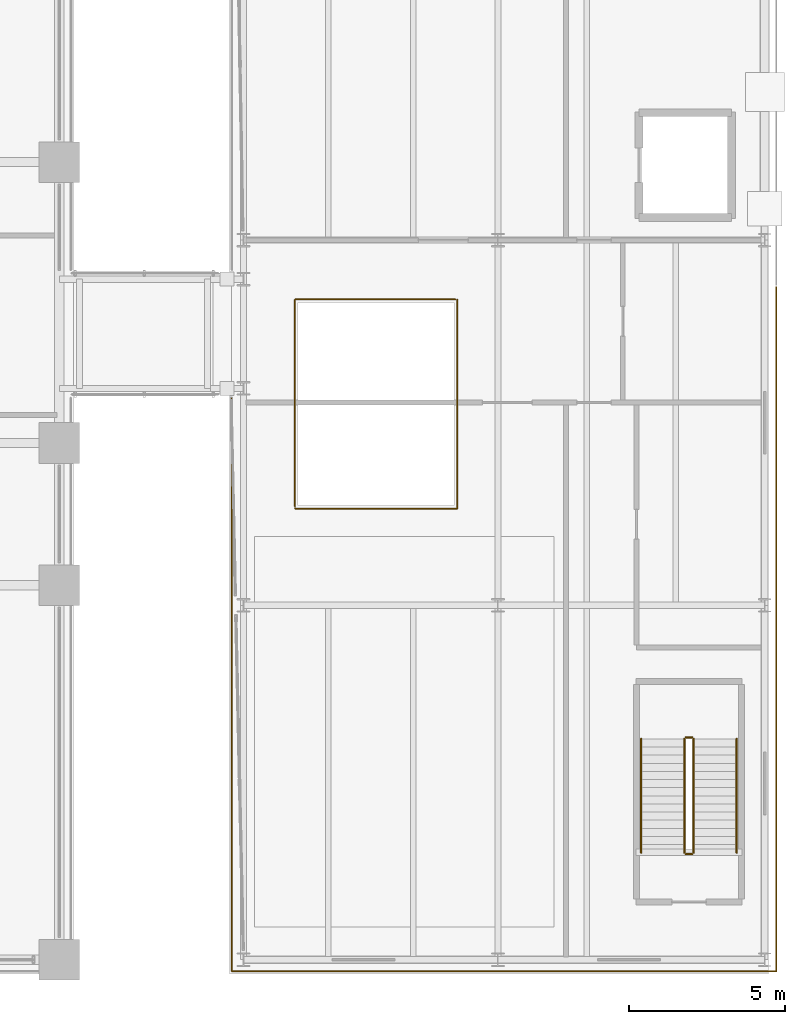
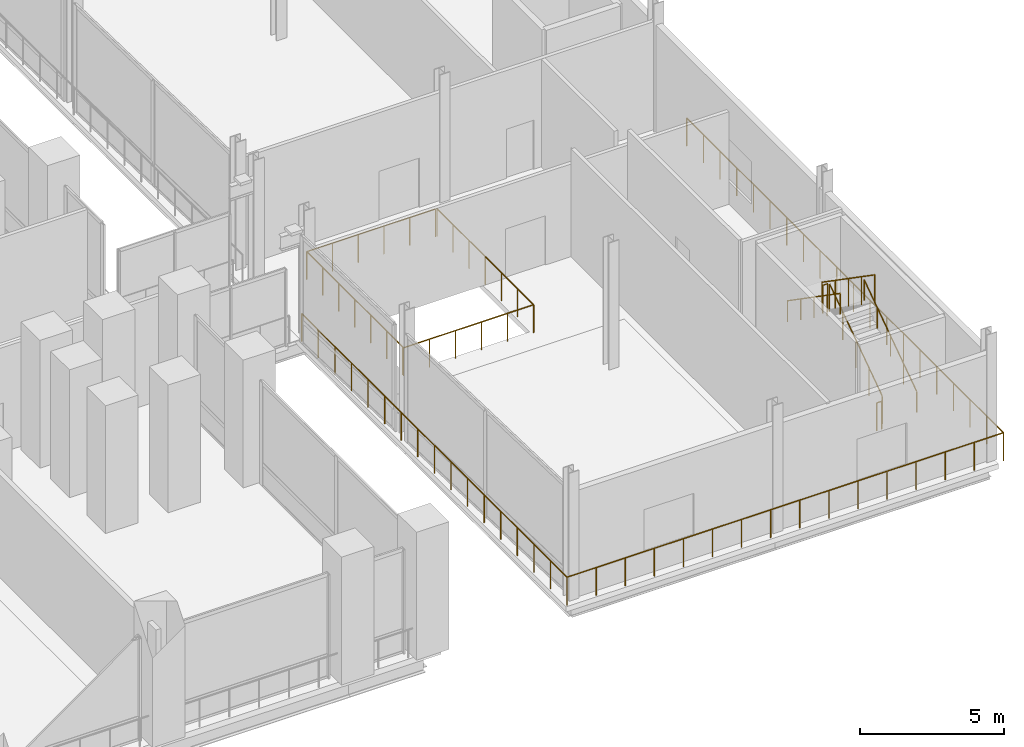
# One storey, part 30 of 31: 9 railings.
"""IFC4 building model written with IfcOpenShell, lengths in metres."""

from ifc_helpers import new_model, si_unit, direction, frame, origin, origin_2d, place, context, subcontext, project, spatial, circle, extrude, material, layer, layer_set, type_object, element, save


model = new_model("IFC4")

# Units and contexts
model_context = context("Model", 3, precision=1e-05, world=origin(), true_north=direction((0.0, 1.0)))
body_context = subcontext(model_context, "Body", "Model", "MODEL_VIEW")
ifc_project = project(units=[si_unit("LENGTHUNIT", "METRE"), si_unit("AREAUNIT", "SQUARE_METRE"), si_unit("VOLUMEUNIT", "CUBIC_METRE"), si_unit("PLANEANGLEUNIT", "RADIAN"), si_unit("MASSUNIT", "GRAM", prefix="KILO")], contexts=[model_context])

# Site, building, storey
site_placement = place(None, origin())
site = spatial("IfcSite", under=ifc_project, at=site_placement, CompositionType="ELEMENT")
building_placement = place(site_placement, origin())
building = spatial("IfcBuilding", under=site, at=building_placement, Name="Noeulbin Bourse Tower", CompositionType="ELEMENT")
storey_placement = place(building_placement, frame((0.0, 0.0, 11.199951171875)))
storey = spatial("IfcBuildingStorey", under=building, at=storey_placement, Name="L03", CompositionType="ELEMENT", Elevation=11.199951171875)

# Railings
ifc_material_1 = material(Name="Painted Tubular Steel S355", Category="steel")
ifc_layer_1 = layer(ifc_material_1, 0.048095703125)
ifc_layer_set_1 = layer_set([ifc_layer_1], Name="Painted Tubular Steel S355")
railing_type_1 = type_object("IfcRailingType", Name="RLG-STR-GRD", PredefinedType="GUARDRAIL", material=ifc_layer_set_1)
railing_1_placement = place(storey_placement, frame((74.8701171875, 6.8798828125, 0.179931640625)))
element("IfcRailing", 1, at=railing_1_placement, inside=storey, type_object=railing_type_1, Name="L03 MST-1 stair guard 1", PredefinedType="GUARDRAIL", context=body_context, shape_type="SweptSolid", body=[
    extrude(circle(Radius=0.02392578125, at=origin_2d()), frame((0.0, 0.0, 1.17578125), z_axis=(0.0, 0.82220013233, 0.56919850878), x_axis=(-1.0, 0.0, 0.0)), (0.0, 0.0, 1.0), 4.42724609375),
    extrude(circle(Radius=0.02099609375, at=origin_2d()), origin(), (0.0, 0.0, 1.0), 1.15185546875),
    extrude(circle(Radius=0.02099609375, at=origin_2d()), frame((0.0, 0.91015625, 0.6298828125)), (0.0, 0.0, 1.0), 1.15185546875),
    extrude(circle(Radius=0.02099609375, at=origin_2d()), frame((0.0, 1.820068359375, 1.260009765625)), (0.0, 0.0, 1.0), 1.15185546875),
    extrude(circle(Radius=0.02099609375, at=origin_2d()), frame((0.0, 2.72998046875, 1.89013671875)), (0.0, 0.0, 1.0), 1.15185546875),
    extrude(circle(Radius=0.02099609375, at=origin_2d()), frame((0.0, 3.64013671875, 2.52001953125)), (0.0, 0.0, 1.0), 1.15185546875),
])
railing_2_placement = place(storey_placement, frame((74.820068359375, 10.570068359375, 2.699951171875)))
element("IfcRailing", 2, at=railing_2_placement, inside=storey, type_object=railing_type_1, Name="L03 MST-1 stair guard 2", PredefinedType="GUARDRAIL", context=body_context, shape_type="SweptSolid", body=[
    extrude(circle(Radius=0.02392578125, at=origin_2d()), frame((0.0, 0.0, 1.17578125), z_axis=(-1.0, 0.0, 0.0), x_axis=(0.0, -1.0, 0.0)), (0.0, 0.0, 1.0), 0.199951171875),
    extrude(circle(Radius=0.02099609375, at=origin_2d()), origin(), (0.0, 0.0, 1.0), 1.15185546875),
    extrude(circle(Radius=0.02099609375, at=origin_2d()), frame((-0.199951171875, 0.0, 0.0)), (0.0, 0.0, 1.0), 1.15185546875),
])
railing_3_placement = place(storey_placement, frame((74.570068359375, 10.52001953125, 2.880126953125)))
element("IfcRailing", 3, at=railing_3_placement, inside=storey, type_object=railing_type_1, Name="L03 MST-1 stair guard 3", PredefinedType="GUARDRAIL", context=body_context, shape_type="SweptSolid", body=[
    extrude(circle(Radius=0.02392578125, at=origin_2d()), frame((0.0, 0.0, 1.17578125), z_axis=(0.0, -0.82220013233, 0.56919850878), x_axis=(1.0, 0.0, 0.0)), (0.0, 0.0, 1.0), 4.42724609375),
    extrude(circle(Radius=0.02099609375, at=origin_2d()), origin(), (0.0, 0.0, 1.0), 1.15185546875),
    extrude(circle(Radius=0.02099609375, at=origin_2d()), frame((0.0, -0.91015625, 0.6298828125)), (0.0, 0.0, 1.0), 1.15185546875),
    extrude(circle(Radius=0.02099609375, at=origin_2d()), frame((0.0, -1.820068359375, 1.260009765625)), (0.0, 0.0, 1.0), 1.15185546875),
    extrude(circle(Radius=0.02099609375, at=origin_2d()), frame((0.0, -2.72998046875, 1.89013671875)), (0.0, 0.0, 1.0), 1.15185546875),
    extrude(circle(Radius=0.02099609375, at=origin_2d()), frame((0.0, -3.64013671875, 2.52001953125)), (0.0, 0.0, 1.0), 1.15185546875),
])
railing_4_placement = place(storey_placement, frame((74.820068359375, 6.830078125, 0.0)))
element("IfcRailing", 4, at=railing_4_placement, inside=storey, type_object=railing_type_1, Name="L03 MST-1 stair guard 4", PredefinedType="GUARDRAIL", context=body_context, shape_type="SweptSolid", body=[
    extrude(circle(Radius=0.02392578125, at=origin_2d()), frame((0.0, 0.0, 1.17578125), z_axis=(-1.0, 0.0, 0.0), x_axis=(0.0, -1.0, 0.0)), (0.0, 0.0, 1.0), 0.199951171875),
    extrude(circle(Radius=0.02099609375, at=origin_2d()), origin(), (0.0, 0.0, 1.0), 1.15185546875),
    extrude(circle(Radius=0.02099609375, at=origin_2d()), frame((-0.199951171875, 0.0, 0.0)), (0.0, 0.0, 1.0), 1.15185546875),
])
ifc_material_2 = material(Name="Brushed Stainless Steel 316", Category="steel")
ifc_layer_2 = layer(ifc_material_2, 0.048095703125)
ifc_layer_set_2 = layer_set([ifc_layer_2], Name="Brushed Stainless Steel 316")
railing_type_2 = type_object("IfcRailingType", Name="RLG-STR-HND", PredefinedType="HANDRAIL", material=ifc_layer_set_2)
railing_5_placement = place(storey_placement, frame((76.25, 6.8798828125, 0.179931640625)))
element("IfcRailing", 5, at=railing_5_placement, inside=storey, type_object=railing_type_2, Name="L03 MST-1 stair handrail 1", PredefinedType="HANDRAIL", context=body_context, shape_type="SweptSolid", body=[
    extrude(circle(Radius=0.02392578125, at=origin_2d()), frame((0.0, 0.0, 0.8759765625), z_axis=(0.0, 0.82220013233, 0.56919850878), x_axis=(-1.0, 0.0, 0.0)), (0.0, 0.0, 1.0), 4.42724609375),
    extrude(circle(Radius=0.02099609375, at=origin_2d()), origin(), (0.0, 0.0, 1.0), 0.851806640625),
    extrude(circle(Radius=0.02099609375, at=origin_2d()), frame((0.0, 0.91015625, 0.6298828125)), (0.0, 0.0, 1.0), 0.851806640625),
    extrude(circle(Radius=0.02099609375, at=origin_2d()), frame((0.0, 1.820068359375, 1.260009765625)), (0.0, 0.0, 1.0), 0.851806640625),
    extrude(circle(Radius=0.02099609375, at=origin_2d()), frame((0.0, 2.72998046875, 1.89013671875)), (0.0, 0.0, 1.0), 0.851806640625),
    extrude(circle(Radius=0.02099609375, at=origin_2d()), frame((0.0, 3.64013671875, 2.52001953125)), (0.0, 0.0, 1.0), 0.851806640625),
])
railing_6_placement = place(storey_placement, frame((73.18994140625, 10.52001953125, 2.880126953125)))
element("IfcRailing", 6, at=railing_6_placement, inside=storey, type_object=railing_type_2, Name="L03 MST-1 stair handrail 2", PredefinedType="HANDRAIL", context=body_context, shape_type="SweptSolid", body=[
    extrude(circle(Radius=0.02392578125, at=origin_2d()), frame((0.0, 0.0, 0.8759765625), z_axis=(0.0, -0.82220013233, 0.56919850878), x_axis=(1.0, 0.0, 0.0)), (0.0, 0.0, 1.0), 4.42724609375),
    extrude(circle(Radius=0.02099609375, at=origin_2d()), origin(), (0.0, 0.0, 1.0), 0.851806640625),
    extrude(circle(Radius=0.02099609375, at=origin_2d()), frame((0.0, -0.91015625, 0.6298828125)), (0.0, 0.0, 1.0), 0.851806640625),
    extrude(circle(Radius=0.02099609375, at=origin_2d()), frame((0.0, -1.820068359375, 1.260009765625)), (0.0, 0.0, 1.0), 0.851806640625),
    extrude(circle(Radius=0.02099609375, at=origin_2d()), frame((0.0, -2.72998046875, 1.89013671875)), (0.0, 0.0, 1.0), 0.851806640625),
    extrude(circle(Radius=0.02099609375, at=origin_2d()), frame((0.0, -3.64013671875, 2.52001953125)), (0.0, 0.0, 1.0), 0.851806640625),
])
ifc_material_3 = material(Name="Stainless Steel 316 Post and Rail", Category="steel")
ifc_layer_3 = layer(ifc_material_3, 0.06005859375)
ifc_layer_set_3 = layer_set([ifc_layer_3], Name="Stainless Steel 316 Post and Rail")
railing_type_3 = type_object("IfcRailingType", Name="RLG-TER-1200", PredefinedType="GUARDRAIL", material=ifc_layer_set_3)
railing_7_placement = place(storey_placement, frame((60.080078125, 21.449951171875, 0.0)))
element("IfcRailing", 7, at=railing_7_placement, inside=storey, type_object=railing_type_3, Name="Market Perimeter Edge Guard L03-1", PredefinedType="GUARDRAIL", context=body_context, shape_type="SweptSolid", body=[
    extrude(circle(Radius=0.02392578125, at=origin_2d()), frame((0.0, 0.0, 1.17578125), z_axis=(0.0, -1.0, 0.0), x_axis=(1.0, 0.0, 0.0)), (0.0, 0.0, 1.0), 18.369873046875),
    extrude(circle(Radius=0.02392578125, at=origin_2d()), frame((0.0, -18.369873046875, 1.17578125), z_axis=(1.0, 0.0, 0.0), x_axis=(0.0, 1.0, 0.0)), (0.0, 0.0, 1.0), 17.43994140625),
    extrude(circle(Radius=0.02392578125, at=origin_2d()), frame((17.43994140625, -18.369873046875, 1.17578125), z_axis=(0.0, 1.0, 0.0), x_axis=(-1.0, 0.0, 0.0)), (0.0, 0.0, 1.0), 21.919921875),
    extrude(circle(Radius=0.02099609375, at=origin_2d()), origin(), (0.0, 0.0, 1.0), 1.15185546875),
    extrude(circle(Radius=0.02099609375, at=origin_2d()), frame((0.0, -1.148193359375, 0.0)), (0.0, 0.0, 1.0), 1.15185546875),
    extrude(circle(Radius=0.02099609375, at=origin_2d()), frame((0.0, -2.296142578125, 0.0)), (0.0, 0.0, 1.0), 1.15185546875),
    extrude(circle(Radius=0.02099609375, at=origin_2d()), frame((0.0, -3.4443359375, 0.0)), (0.0, 0.0, 1.0), 1.15185546875),
    extrude(circle(Radius=0.02099609375, at=origin_2d()), frame((0.0, -4.592529296875, 0.0)), (0.0, 0.0, 1.0), 1.15185546875),
    extrude(circle(Radius=0.02099609375, at=origin_2d()), frame((0.0, -5.740478515625, 0.0)), (0.0, 0.0, 1.0), 1.15185546875),
    extrude(circle(Radius=0.02099609375, at=origin_2d()), frame((0.0, -6.888671875, 0.0)), (0.0, 0.0, 1.0), 1.15185546875),
    extrude(circle(Radius=0.02099609375, at=origin_2d()), frame((0.0, -8.036865234375, 0.0)), (0.0, 0.0, 1.0), 1.15185546875),
    extrude(circle(Radius=0.02099609375, at=origin_2d()), frame((0.0, -9.18505859375, 0.0)), (0.0, 0.0, 1.0), 1.15185546875),
    extrude(circle(Radius=0.02099609375, at=origin_2d()), frame((0.0, -10.3330078125, 0.0)), (0.0, 0.0, 1.0), 1.15185546875),
    extrude(circle(Radius=0.02099609375, at=origin_2d()), frame((0.0, -11.481201171875, 0.0)), (0.0, 0.0, 1.0), 1.15185546875),
    extrude(circle(Radius=0.02099609375, at=origin_2d()), frame((0.0, -12.62939453125, 0.0)), (0.0, 0.0, 1.0), 1.15185546875),
    extrude(circle(Radius=0.02099609375, at=origin_2d()), frame((0.0, -13.77734375, 0.0)), (0.0, 0.0, 1.0), 1.15185546875),
    extrude(circle(Radius=0.02099609375, at=origin_2d()), frame((0.0, -14.925537109375, 0.0)), (0.0, 0.0, 1.0), 1.15185546875),
    extrude(circle(Radius=0.02099609375, at=origin_2d()), frame((0.0, -16.07373046875, 0.0)), (0.0, 0.0, 1.0), 1.15185546875),
    extrude(circle(Radius=0.02099609375, at=origin_2d()), frame((0.0, -17.2216796875, 0.0)), (0.0, 0.0, 1.0), 1.15185546875),
    extrude(circle(Radius=0.02099609375, at=origin_2d()), frame((0.0, -18.369873046875, 0.0)), (0.0, 0.0, 1.0), 1.15185546875),
    extrude(circle(Radius=0.02099609375, at=origin_2d()), frame((1.16259765625, -18.369873046875, 0.0)), (0.0, 0.0, 1.0), 1.15185546875),
    extrude(circle(Radius=0.02099609375, at=origin_2d()), frame((2.325439453125, -18.369873046875, 0.0)), (0.0, 0.0, 1.0), 1.15185546875),
    extrude(circle(Radius=0.02099609375, at=origin_2d()), frame((3.488037109375, -18.369873046875, 0.0)), (0.0, 0.0, 1.0), 1.15185546875),
    extrude(circle(Radius=0.02099609375, at=origin_2d()), frame((4.650634765625, -18.369873046875, 0.0)), (0.0, 0.0, 1.0), 1.15185546875),
    extrude(circle(Radius=0.02099609375, at=origin_2d()), frame((5.813232421875, -18.369873046875, 0.0)), (0.0, 0.0, 1.0), 1.15185546875),
    extrude(circle(Radius=0.02099609375, at=origin_2d()), frame((6.97607421875, -18.369873046875, 0.0)), (0.0, 0.0, 1.0), 1.15185546875),
    extrude(circle(Radius=0.02099609375, at=origin_2d()), frame((8.138671875, -18.369873046875, 0.0)), (0.0, 0.0, 1.0), 1.15185546875),
    extrude(circle(Radius=0.02099609375, at=origin_2d()), frame((9.30126953125, -18.369873046875, 0.0)), (0.0, 0.0, 1.0), 1.15185546875),
    extrude(circle(Radius=0.02099609375, at=origin_2d()), frame((10.4638671875, -18.369873046875, 0.0)), (0.0, 0.0, 1.0), 1.15185546875),
    extrude(circle(Radius=0.02099609375, at=origin_2d()), frame((11.626708984375, -18.369873046875, 0.0)), (0.0, 0.0, 1.0), 1.15185546875),
    extrude(circle(Radius=0.02099609375, at=origin_2d()), frame((12.789306640625, -18.369873046875, 0.0)), (0.0, 0.0, 1.0), 1.15185546875),
    extrude(circle(Radius=0.02099609375, at=origin_2d()), frame((13.951904296875, -18.369873046875, 0.0)), (0.0, 0.0, 1.0), 1.15185546875),
    extrude(circle(Radius=0.02099609375, at=origin_2d()), frame((15.114501953125, -18.369873046875, 0.0)), (0.0, 0.0, 1.0), 1.15185546875),
    extrude(circle(Radius=0.02099609375, at=origin_2d()), frame((16.27734375, -18.369873046875, 0.0)), (0.0, 0.0, 1.0), 1.15185546875),
    extrude(circle(Radius=0.02099609375, at=origin_2d()), frame((17.43994140625, -18.369873046875, 0.0)), (0.0, 0.0, 1.0), 1.15185546875),
    extrude(circle(Radius=0.02099609375, at=origin_2d()), frame((17.43994140625, -17.21630859375, 0.0)), (0.0, 0.0, 1.0), 1.15185546875),
    extrude(circle(Radius=0.02099609375, at=origin_2d()), frame((17.43994140625, -16.0625, 0.0)), (0.0, 0.0, 1.0), 1.15185546875),
    extrude(circle(Radius=0.02099609375, at=origin_2d()), frame((17.43994140625, -14.908935546875, 0.0)), (0.0, 0.0, 1.0), 1.15185546875),
    extrude(circle(Radius=0.02099609375, at=origin_2d()), frame((17.43994140625, -13.755126953125, 0.0)), (0.0, 0.0, 1.0), 1.15185546875),
    extrude(circle(Radius=0.02099609375, at=origin_2d()), frame((17.43994140625, -12.6015625, 0.0)), (0.0, 0.0, 1.0), 1.15185546875),
    extrude(circle(Radius=0.02099609375, at=origin_2d()), frame((17.43994140625, -11.44775390625, 0.0)), (0.0, 0.0, 1.0), 1.15185546875),
    extrude(circle(Radius=0.02099609375, at=origin_2d()), frame((17.43994140625, -10.294189453125, 0.0)), (0.0, 0.0, 1.0), 1.15185546875),
    extrude(circle(Radius=0.02099609375, at=origin_2d()), frame((17.43994140625, -9.140380859375, 0.0)), (0.0, 0.0, 1.0), 1.15185546875),
    extrude(circle(Radius=0.02099609375, at=origin_2d()), frame((17.43994140625, -7.98681640625, 0.0)), (0.0, 0.0, 1.0), 1.15185546875),
    extrude(circle(Radius=0.02099609375, at=origin_2d()), frame((17.43994140625, -6.8330078125, 0.0)), (0.0, 0.0, 1.0), 1.15185546875),
    extrude(circle(Radius=0.02099609375, at=origin_2d()), frame((17.43994140625, -5.679443359375, 0.0)), (0.0, 0.0, 1.0), 1.15185546875),
    extrude(circle(Radius=0.02099609375, at=origin_2d()), frame((17.43994140625, -4.525634765625, 0.0)), (0.0, 0.0, 1.0), 1.15185546875),
    extrude(circle(Radius=0.02099609375, at=origin_2d()), frame((17.43994140625, -3.3720703125, 0.0)), (0.0, 0.0, 1.0), 1.15185546875),
    extrude(circle(Radius=0.02099609375, at=origin_2d()), frame((17.43994140625, -2.21826171875, 0.0)), (0.0, 0.0, 1.0), 1.15185546875),
    extrude(circle(Radius=0.02099609375, at=origin_2d()), frame((17.43994140625, -1.064697265625, 0.0)), (0.0, 0.0, 1.0), 1.15185546875),
    extrude(circle(Radius=0.02099609375, at=origin_2d()), frame((17.43994140625, 0.089111328125, 0.0)), (0.0, 0.0, 1.0), 1.15185546875),
    extrude(circle(Radius=0.02099609375, at=origin_2d()), frame((17.43994140625, 1.24267578125, 0.0)), (0.0, 0.0, 1.0), 1.15185546875),
    extrude(circle(Radius=0.02099609375, at=origin_2d()), frame((17.43994140625, 2.396484375, 0.0)), (0.0, 0.0, 1.0), 1.15185546875),
    extrude(circle(Radius=0.02099609375, at=origin_2d()), frame((17.43994140625, 3.550048828125, 0.0)), (0.0, 0.0, 1.0), 1.15185546875),
])
ifc_material_4 = material(Name="Laminated Glass and Stainless Steel 316", Category="steel")
ifc_layer_4 = layer(ifc_material_4, 0.06005859375)
ifc_layer_set_4 = layer_set([ifc_layer_4], Name="Laminated Glass and Stainless Steel 316")
railing_type_4 = type_object("IfcRailingType", Name="RLG-VOID-1200", PredefinedType="BALUSTRADE", material=ifc_layer_set_4)
railing_8_placement = place(storey_placement, frame((62.10009765625, 17.89990234375, 0.0)))
element("IfcRailing", 8, at=railing_8_placement, inside=storey, type_object=railing_type_4, Name="Market Gallery Void Balustrade GD-V12-L03A", PredefinedType="BALUSTRADE", context=body_context, shape_type="SweptSolid", body=[
    extrude(circle(Radius=0.02392578125, at=origin_2d()), frame((0.0, 0.0, 1.17578125), z_axis=(1.0, 0.0, 0.0), x_axis=(0.0, 1.0, 0.0)), (0.0, 0.0, 1.0), 5.199951171875),
    extrude(circle(Radius=0.02392578125, at=origin_2d()), frame((5.199951171875, 0.0, 1.17578125), z_axis=(0.0, 1.0, 0.0), x_axis=(-1.0, 0.0, 0.0)), (0.0, 0.0, 1.0), 6.7001953125),
    extrude(circle(Radius=0.02099609375, at=origin_2d()), origin(), (0.0, 0.0, 1.0), 1.15185546875),
    extrude(circle(Radius=0.02099609375, at=origin_2d()), frame((1.0400390625, 0.0, 0.0)), (0.0, 0.0, 1.0), 1.15185546875),
    extrude(circle(Radius=0.02099609375, at=origin_2d()), frame((2.080078125, 0.0, 0.0)), (0.0, 0.0, 1.0), 1.15185546875),
    extrude(circle(Radius=0.02099609375, at=origin_2d()), frame((3.119873046875, 0.0, 0.0)), (0.0, 0.0, 1.0), 1.15185546875),
    extrude(circle(Radius=0.02099609375, at=origin_2d()), frame((4.159912109375, 0.0, 0.0)), (0.0, 0.0, 1.0), 1.15185546875),
    extrude(circle(Radius=0.02099609375, at=origin_2d()), frame((5.199951171875, 0.0, 0.0)), (0.0, 0.0, 1.0), 1.15185546875),
    extrude(circle(Radius=0.02099609375, at=origin_2d()), frame((5.199951171875, 1.11669921875, 0.0)), (0.0, 0.0, 1.0), 1.15185546875),
    extrude(circle(Radius=0.02099609375, at=origin_2d()), frame((5.199951171875, 2.2333984375, 0.0)), (0.0, 0.0, 1.0), 1.15185546875),
    extrude(circle(Radius=0.02099609375, at=origin_2d()), frame((5.199951171875, 3.35009765625, 0.0)), (0.0, 0.0, 1.0), 1.15185546875),
    extrude(circle(Radius=0.02099609375, at=origin_2d()), frame((5.199951171875, 4.466796875, 0.0)), (0.0, 0.0, 1.0), 1.15185546875),
    extrude(circle(Radius=0.02099609375, at=origin_2d()), frame((5.199951171875, 5.58349609375, 0.0)), (0.0, 0.0, 1.0), 1.15185546875),
    extrude(circle(Radius=0.02099609375, at=origin_2d()), frame((5.199951171875, 6.7001953125, 0.0)), (0.0, 0.0, 1.0), 1.15185546875),
])
railing_9_placement = place(storey_placement, frame((67.239990234375, 24.60009765625, 0.0)))
element("IfcRailing", 9, at=railing_9_placement, inside=storey, type_object=railing_type_4, Name="Market Gallery Void Balustrade GD-V12-L03B", PredefinedType="BALUSTRADE", context=body_context, shape_type="SweptSolid", body=[
    extrude(circle(Radius=0.02392578125, at=origin_2d()), frame((0.0, 0.0, 1.17578125), z_axis=(-1.0, 0.0, 0.0), x_axis=(0.0, -1.0, 0.0)), (0.0, 0.0, 1.0), 5.139892578125),
    extrude(circle(Radius=0.02392578125, at=origin_2d()), frame((-5.139892578125, 0.0, 1.17578125), z_axis=(0.0, -1.0, 0.0), x_axis=(1.0, 0.0, 0.0)), (0.0, 0.0, 1.0), 6.64013671875),
    extrude(circle(Radius=0.02099609375, at=origin_2d()), origin(), (0.0, 0.0, 1.0), 1.15185546875),
    extrude(circle(Radius=0.02099609375, at=origin_2d()), frame((-1.028076171875, 0.0, 0.0)), (0.0, 0.0, 1.0), 1.15185546875),
    extrude(circle(Radius=0.02099609375, at=origin_2d()), frame((-2.055908203125, 0.0, 0.0)), (0.0, 0.0, 1.0), 1.15185546875),
    extrude(circle(Radius=0.02099609375, at=origin_2d()), frame((-3.083984375, 0.0, 0.0)), (0.0, 0.0, 1.0), 1.15185546875),
    extrude(circle(Radius=0.02099609375, at=origin_2d()), frame((-4.11181640625, 0.0, 0.0)), (0.0, 0.0, 1.0), 1.15185546875),
    extrude(circle(Radius=0.02099609375, at=origin_2d()), frame((-5.139892578125, 0.0, 0.0)), (0.0, 0.0, 1.0), 1.15185546875),
    extrude(circle(Radius=0.02099609375, at=origin_2d()), frame((-5.139892578125, -1.106689453125, 0.0)), (0.0, 0.0, 1.0), 1.15185546875),
    extrude(circle(Radius=0.02099609375, at=origin_2d()), frame((-5.139892578125, -2.21337890625, 0.0)), (0.0, 0.0, 1.0), 1.15185546875),
    extrude(circle(Radius=0.02099609375, at=origin_2d()), frame((-5.139892578125, -3.320068359375, 0.0)), (0.0, 0.0, 1.0), 1.15185546875),
    extrude(circle(Radius=0.02099609375, at=origin_2d()), frame((-5.139892578125, -4.4267578125, 0.0)), (0.0, 0.0, 1.0), 1.15185546875),
    extrude(circle(Radius=0.02099609375, at=origin_2d()), frame((-5.139892578125, -5.533447265625, 0.0)), (0.0, 0.0, 1.0), 1.15185546875),
    extrude(circle(Radius=0.02099609375, at=origin_2d()), frame((-5.139892578125, -6.64013671875, 0.0)), (0.0, 0.0, 1.0), 1.15185546875),
])

save(model, "model.ifc")
